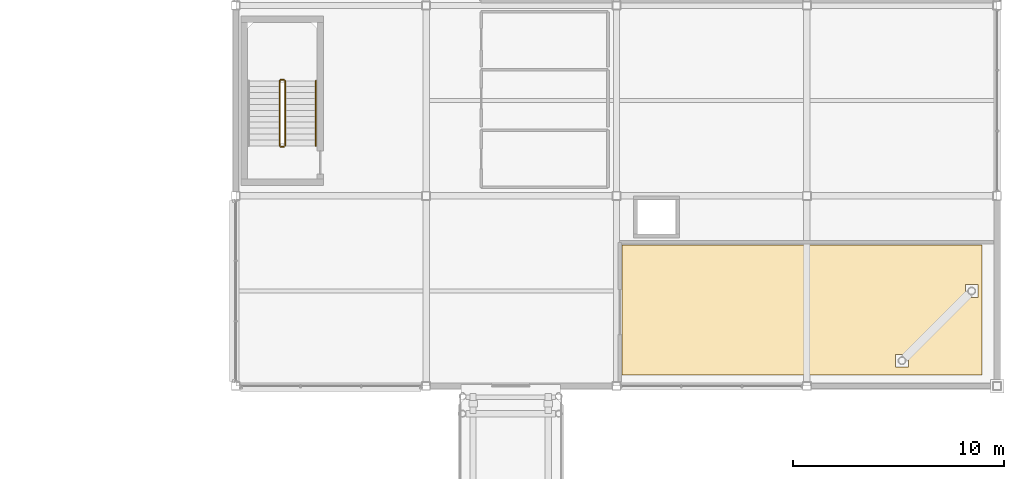
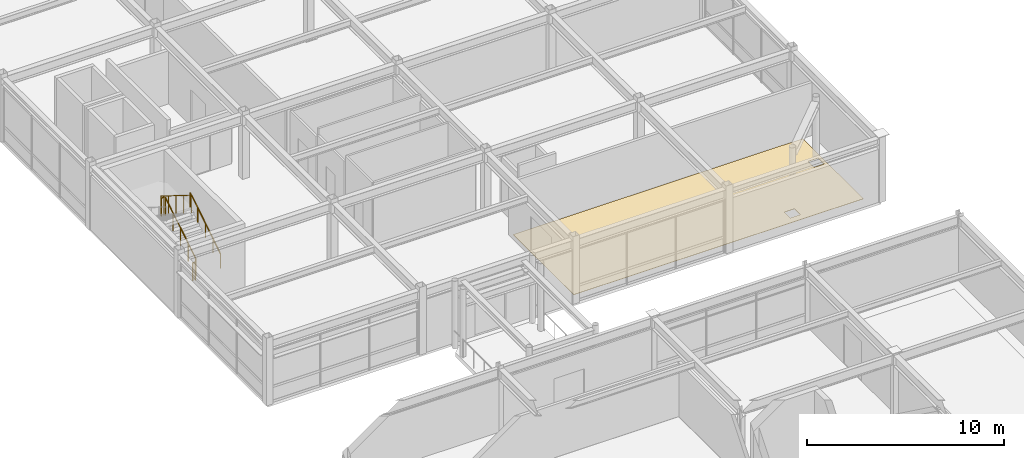
# One storey, part 67 of 70: 5 railings, 1 covering.
"""IFC4 building model written with IfcOpenShell, lengths in metres."""

from ifc_helpers import new_model, si_unit, direction, frame, origin, origin_2d, place, context, subcontext, project, spatial, polyline, circle, outline, extrude, material, layer, layer_set, type_object, element, save


model = new_model("IFC4")

# Units and contexts
model_context = context("Model", 3, precision=1e-05, world=origin(), true_north=direction((0.0, 1.0)))
body_context = subcontext(model_context, "Body", "Model", "MODEL_VIEW")
ifc_project = project(units=[si_unit("LENGTHUNIT", "METRE"), si_unit("AREAUNIT", "SQUARE_METRE"), si_unit("VOLUMEUNIT", "CUBIC_METRE"), si_unit("PLANEANGLEUNIT", "RADIAN"), si_unit("MASSUNIT", "GRAM", prefix="KILO")], contexts=[model_context])

# Site, building, storey
site_placement = place(None, origin())
site = spatial("IfcSite", under=ifc_project, at=site_placement, CompositionType="ELEMENT")
building_placement = place(site_placement, origin())
building = spatial("IfcBuilding", under=site, at=building_placement, Name="Suzunagisa Mobility Hub", CompositionType="ELEMENT")
storey_placement = place(building_placement, frame((0.0, 0.0, 13.5)))
storey = spatial("IfcBuildingStorey", under=building, at=storey_placement, Name="L03", CompositionType="ELEMENT", Elevation=13.5)

# Railings
ifc_material_1 = material(Name="Stainless Steel SUS304", Category="metal")
railing_type_1 = type_object("IfcRailingType", Name="Interior Well Guardrail IGR-01", PredefinedType="GUARDRAIL", material=ifc_material_1)
railing_1_placement = place(storey_placement, frame((146.330078125, 55.360107421875, 0.175048828125)))
element("IfcRailing", 1, at=railing_1_placement, inside=storey, type_object=railing_type_1, Name="L03 ST-11 stair guard 1", PredefinedType="GUARDRAIL", context=body_context, shape_type="SweptSolid", body=[
    extrude(circle(Radius=0.02392578125, at=origin_2d()), frame((0.0, 0.0, 1.09619140625), z_axis=(0.0, 0.847979421464, 0.530029150871), x_axis=(-1.0, 0.0, 0.0)), (0.0, 0.0, 1.0), 3.632080078125),
    extrude(circle(Radius=0.02099609375, at=origin_2d()), origin(), (0.0, 0.0, 1.0), 1.072021484375),
    extrude(circle(Radius=0.02099609375, at=origin_2d()), frame((0.0, 0.77001953125, 0.481201171875)), (0.0, 0.0, 1.0), 1.072021484375),
    extrude(circle(Radius=0.02099609375, at=origin_2d()), frame((0.0, 1.5400390625, 0.96240234375)), (0.0, 0.0, 1.0), 1.072021484375),
    extrude(circle(Radius=0.02099609375, at=origin_2d()), frame((0.0, 2.309814453125, 1.44384765625)), (0.0, 0.0, 1.0), 1.072021484375),
    extrude(circle(Radius=0.02099609375, at=origin_2d()), frame((0.0, 3.079833984375, 1.925048828125)), (0.0, 0.0, 1.0), 1.072021484375),
])
railing_2_placement = place(storey_placement, frame((146.280029296875, 58.489990234375, 2.10009765625)))
element("IfcRailing", 2, at=railing_2_placement, inside=storey, type_object=railing_type_1, Name="L03 ST-11 stair guard 2", PredefinedType="GUARDRAIL", context=body_context, shape_type="SweptSolid", body=[
    extrude(circle(Radius=0.02392578125, at=origin_2d()), frame((0.0, 0.0, 1.09619140625), z_axis=(-1.0, 0.0, 0.0), x_axis=(0.0, -1.0, 0.0)), (0.0, 0.0, 1.0), 0.159912109375),
    extrude(circle(Radius=0.02099609375, at=origin_2d()), origin(), (0.0, 0.0, 1.0), 1.072021484375),
    extrude(circle(Radius=0.02099609375, at=origin_2d()), frame((-0.159912109375, 0.0, 0.0)), (0.0, 0.0, 1.0), 1.072021484375),
])
railing_3_placement = place(storey_placement, frame((146.070068359375, 58.43994140625, 2.27490234375)))
element("IfcRailing", 3, at=railing_3_placement, inside=storey, type_object=railing_type_1, Name="L03 ST-11 stair guard 3", PredefinedType="GUARDRAIL", context=body_context, shape_type="SweptSolid", body=[
    extrude(circle(Radius=0.02392578125, at=origin_2d()), frame((0.0, 0.0, 1.09619140625), z_axis=(0.0, -0.847979421464, 0.530029150871), x_axis=(1.0, 0.0, 0.0)), (0.0, 0.0, 1.0), 3.632080078125),
    extrude(circle(Radius=0.02099609375, at=origin_2d()), origin(), (0.0, 0.0, 1.0), 1.072021484375),
    extrude(circle(Radius=0.02099609375, at=origin_2d()), frame((0.0, -0.77001953125, 0.481201171875)), (0.0, 0.0, 1.0), 1.072021484375),
    extrude(circle(Radius=0.02099609375, at=origin_2d()), frame((0.0, -1.5400390625, 0.96240234375)), (0.0, 0.0, 1.0), 1.072021484375),
    extrude(circle(Radius=0.02099609375, at=origin_2d()), frame((0.0, -2.309814453125, 1.44384765625)), (0.0, 0.0, 1.0), 1.072021484375),
    extrude(circle(Radius=0.02099609375, at=origin_2d()), frame((0.0, -3.079833984375, 1.925048828125)), (0.0, 0.0, 1.0), 1.072021484375),
])
railing_4_placement = place(storey_placement, frame((146.280029296875, 55.31005859375, 0.0)))
element("IfcRailing", 4, at=railing_4_placement, inside=storey, type_object=railing_type_1, Name="L03 ST-11 stair guard 4", PredefinedType="GUARDRAIL", context=body_context, shape_type="SweptSolid", body=[
    extrude(circle(Radius=0.02392578125, at=origin_2d()), frame((0.0, 0.0, 1.09619140625), z_axis=(-1.0, 0.0, 0.0), x_axis=(0.0, -1.0, 0.0)), (0.0, 0.0, 1.0), 0.159912109375),
    extrude(circle(Radius=0.02099609375, at=origin_2d()), origin(), (0.0, 0.0, 1.0), 1.072021484375),
    extrude(circle(Radius=0.02099609375, at=origin_2d()), frame((-0.159912109375, 0.0, 0.0)), (0.0, 0.0, 1.0), 1.072021484375),
])

# Covering
ifc_material_2 = material(Name="Polished Aggregate Terrazzo Finish")
ifc_layer = layer(ifc_material_2, 0.02001953125)
ifc_layer_set = layer_set([ifc_layer], Name="Polished Aggregate Terrazzo Finish")
covering_type = type_object("IfcCoveringType", Name="Polished Terrazzo Heavy-Traffic Flooring FLR-01", PredefinedType="FLOORING", material=ifc_layer_set)
covering_placement = place(storey_placement, origin())
element("IfcCovering", 5, at=covering_placement, inside=storey, type_object=covering_type, Name="L03 Community Road-Safety Classroom L03 Terrazzo Flooring", PredefinedType="FLOORING", context=body_context, shape_type="SweptSolid", body=[
    extrude(outline(polyline([(179.280029296875, 50.679931640625), (179.280029296875, 44.52001953125), (162.27001953125, 44.52001953125), (162.27001953125, 50.679931640625), (179.280029296875, 50.679931640625)]), holes=[polyline([(175.7978515625, 45.503662109375), (175.2021484375, 45.503662109375), (175.2021484375, 44.907958984375), (175.7978515625, 44.907958984375), (175.7978515625, 45.503662109375)]), polyline([(179.092041015625, 48.2021484375), (179.092041015625, 48.7978515625), (178.496337890625, 48.7978515625), (178.496337890625, 48.2021484375), (179.092041015625, 48.2021484375)])]), origin(), (0.0, 0.0, 1.0), 0.02001953125),
])

# Railing
railing_type_2 = type_object("IfcRailingType", Name="Tubular Stainless Stair Handrail IHR-01", PredefinedType="HANDRAIL", material=ifc_material_1)
railing_5_placement = place(storey_placement, frame((147.7900390625, 55.360107421875, 0.175048828125)))
element("IfcRailing", 6, at=railing_5_placement, inside=storey, type_object=railing_type_2, Name="L03 ST-11 stair handrail 1", PredefinedType="HANDRAIL", context=body_context, shape_type="SweptSolid", body=[
    extrude(circle(Radius=0.02392578125, at=origin_2d()), frame((0.0, 0.0, 0.8759765625), z_axis=(0.0, 0.847979421464, 0.530029150871), x_axis=(-1.0, 0.0, 0.0)), (0.0, 0.0, 1.0), 3.632080078125),
    extrude(circle(Radius=0.02099609375, at=origin_2d()), origin(), (0.0, 0.0, 1.0), 0.851806640625),
    extrude(circle(Radius=0.02099609375, at=origin_2d()), frame((0.0, 0.77001953125, 0.481201171875)), (0.0, 0.0, 1.0), 0.851806640625),
    extrude(circle(Radius=0.02099609375, at=origin_2d()), frame((0.0, 1.5400390625, 0.96240234375)), (0.0, 0.0, 1.0), 0.851806640625),
    extrude(circle(Radius=0.02099609375, at=origin_2d()), frame((0.0, 2.309814453125, 1.44384765625)), (0.0, 0.0, 1.0), 0.851806640625),
    extrude(circle(Radius=0.02099609375, at=origin_2d()), frame((0.0, 3.079833984375, 1.925048828125)), (0.0, 0.0, 1.0), 0.851806640625),
])

save(model, "model.ifc")
